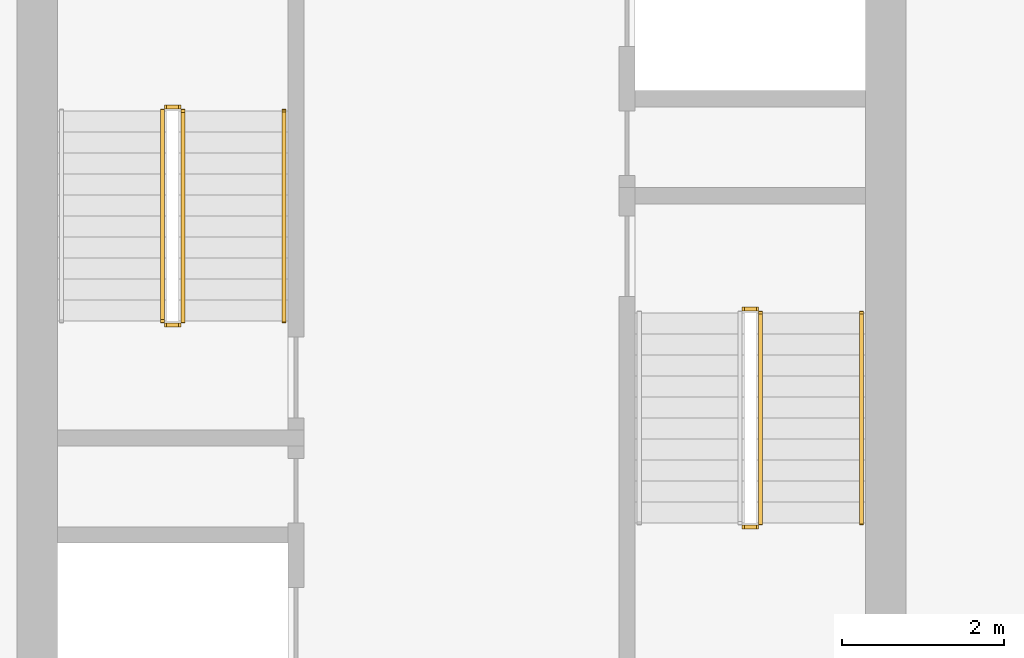
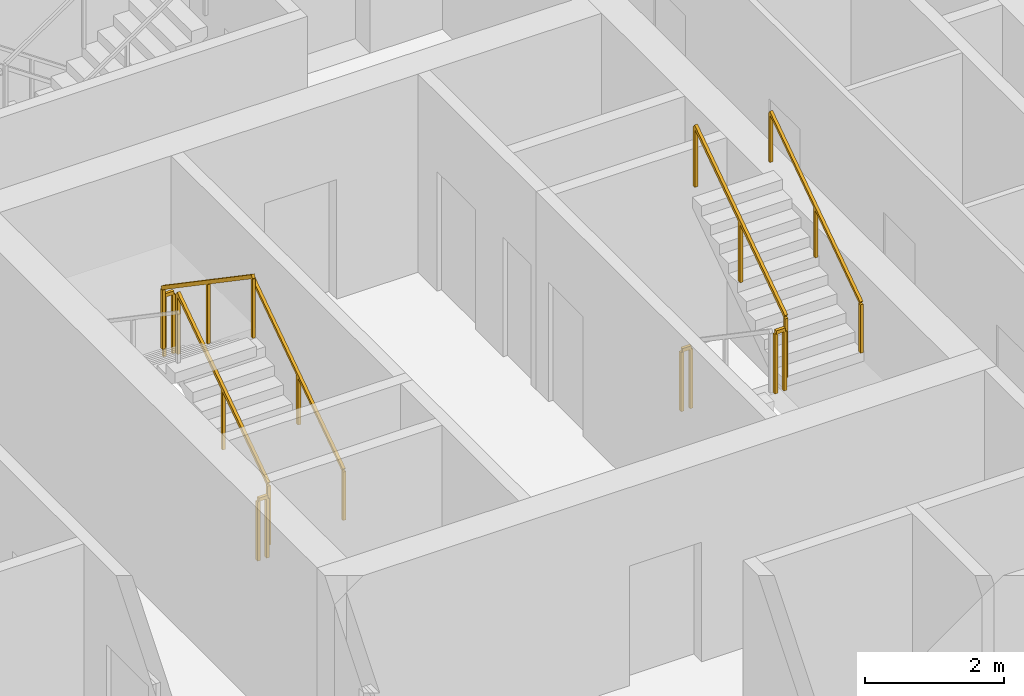
# One storey, part 12 of 15: 9 railings.
"""IFC4 building model written with IfcOpenShell, lengths in metres."""

import ifcopenshell
import ifcopenshell.guid

model = None  # the IFC model being written
_history = None  # IfcOwnerHistory: only IFC2X3 demands one
_inside = {}  # id of a spatial element -> (the spatial element, [elements in it])
_under = {}  # id of a project, library or spatial element -> (it, [spatial elements below it])
_declared = {}  # id of a project -> (the project, [libraries it declares])
_typed = {}  # id of a type object -> (the type object, [elements of that type])
_made_of = {}  # id of a material, layer set ... -> (it, [elements and type objects made of it])


def new_model(schema):
    """Start an empty IFC model of exactly this schema.

    Asked for "IFC4X3", IfcOpenShell would pick the latest addendum, in which some entities
    have other attributes; the version numbers below select the first issue.
    IFC2X3 requires an IfcOwnerHistory on every rooted entity: one is made here for all.
    """
    global model, _history
    if schema == "IFC4X3":
        model = ifcopenshell.file(schema_version=(4, 3, 0, 0))
    else:
        model = ifcopenshell.file(schema=schema)
    _inside.clear()
    _under.clear()
    _declared.clear()
    _typed.clear()
    _made_of.clear()
    _history = None
    if model.schema == "IFC2X3":
        org = make("IfcOrganization", Name="unknown")
        user = make(
            "IfcPersonAndOrganization",
            ThePerson=make("IfcPerson", FamilyName="unknown"),
            TheOrganization=org,
        )
        app = make(
            "IfcApplication",
            ApplicationDeveloper=org,
            Version="unknown",
            ApplicationFullName="unknown",
            ApplicationIdentifier="unknown",
        )
        _history = make(
            "IfcOwnerHistory",
            OwningUser=user,
            OwningApplication=app,
            ChangeAction="ADDED",
            CreationDate=0,
        )
    return model


def make(cls, **values):
    """One entity of the class cls with the attributes given. An attribute that is None is left unset."""
    return model.create_entity(
        cls, **{name: value for name, value in values.items() if value is not None}
    )


def rooted(cls, **values):
    """An entity with a GlobalId (a new one), such as an element, a storey or a relation."""
    return make(cls, GlobalId=ifcopenshell.guid.new(), OwnerHistory=_history, **values)


def si_unit(unit_type, name, prefix=None):
    """IfcSIUnit, for example si_unit("LENGTHUNIT", "METRE", prefix="MILLI")."""
    return make("IfcSIUnit", UnitType=unit_type, Prefix=prefix, Name=name)


def assignment(units):
    """IfcUnitAssignment: the units of a project."""
    return None if units is None else make("IfcUnitAssignment", Units=units)


def point(xyz):
    """IfcCartesianPoint."""
    return None if xyz is None else make("IfcCartesianPoint", Coordinates=xyz)


def direction(xyz):
    """IfcDirection."""
    return None if xyz is None else make("IfcDirection", DirectionRatios=xyz)


def frame(location, z_axis=None, x_axis=None):
    """IfcAxis2Placement3D, a coordinate frame: its origin and axes. An axis left out is left unset."""
    return make(
        "IfcAxis2Placement3D",
        Location=point(location),
        Axis=direction(z_axis),
        RefDirection=direction(x_axis),
    )


def frame_2d(location, x_axis=None):
    """IfcAxis2Placement2D, a coordinate frame in the plane: its origin and x axis."""
    return make(
        "IfcAxis2Placement2D", Location=point(location), RefDirection=direction(x_axis)
    )


def origin():
    """The frame at (0, 0, 0) with its axes left unset."""
    return frame((0.0, 0.0, 0.0))


def origin_2d():
    """The frame at (0, 0) in the plane with its x axis left unset."""
    return frame_2d((0.0, 0.0))


def place(relative_to, where):
    """IfcLocalPlacement: puts the frame where relative to a parent placement (None: the world)."""
    return make(
        "IfcLocalPlacement", PlacementRelTo=relative_to, RelativePlacement=where
    )


def context(
    kind, dimensions, precision=None, world=None, true_north=None, identifier=None
):
    """IfcGeometricRepresentationContext, for example the 3D "Model" context."""
    return make(
        "IfcGeometricRepresentationContext",
        ContextIdentifier=identifier,
        ContextType=kind,
        CoordinateSpaceDimension=dimensions,
        Precision=precision,
        WorldCoordinateSystem=world,
        TrueNorth=true_north,
    )


def subcontext(parent, identifier, kind, view, scale=None):
    """IfcGeometricRepresentationSubContext, for example "Body" below "Model"."""
    return make(
        "IfcGeometricRepresentationSubContext",
        ContextIdentifier=identifier,
        ContextType=kind,
        ParentContext=parent,
        TargetScale=scale,
        TargetView=view,
    )


def project(units=None, contexts=None):
    """IfcProject with its units and contexts."""
    return rooted(
        "IfcProject",
        Name="project",
        RepresentationContexts=contexts,
        UnitsInContext=assignment(units),
    )


def spatial(cls, under=None, at=None, **own):
    """A site, building, storey or space (cls), placed at a placement, below another one or the project."""
    s = rooted(cls, ObjectPlacement=at, **own)
    if under is not None:
        _under.setdefault(under.id(), (under, []))[1].append(s)
    return s


def profile(cls, at=None, kind="AREA", **sizes):
    """A parametric profile (cls). Its sizes go by their IFC names, for example OverallWidth=200.0."""
    return make(cls, ProfileType=kind, Position=at, **sizes)


def rectangle(**sizes):
    """IfcRectangleProfileDef."""
    return profile("IfcRectangleProfileDef", **sizes)


def extrude(swept, where, along, depth):
    """IfcExtrudedAreaSolid: the profile swept, set in the frame where, extruded along a direction by depth."""
    return make(
        "IfcExtrudedAreaSolid",
        SweptArea=swept,
        Position=where,
        ExtrudedDirection=direction(along),
        Depth=depth,
    )


def shape(context_of_items, identifier, shape_type, items):
    """IfcShapeRepresentation: the items that make up one representation, for example the "Body"."""
    return make(
        "IfcShapeRepresentation",
        ContextOfItems=context_of_items,
        RepresentationIdentifier=identifier,
        RepresentationType=shape_type,
        Items=items,
    )


def material(Name=None, Category=None):
    """IfcMaterial."""
    return make("IfcMaterial", Name=Name, Category=Category)


def made_of(thing, what):
    """Note that an element or type object is made of a material, layer set ...; save() writes the relation."""
    if what is not None:
        _made_of.setdefault(what.id(), (what, []))[1].append(thing)
    return thing


def type_object(cls, material=None, **own):
    """A type object (cls), such as IfcWallType, which elements share."""
    return made_of(rooted(cls, **own), material)


def element(
    cls,
    number,
    at=None,
    inside=None,
    cuts=None,
    type_object=None,
    material=None,
    context=None,
    identifier="Body",
    shape_type=None,
    held_by="IfcProductDefinitionShape",
    body=None,
    shapes=None,
    **own,
):
    """One element of the class cls, such as IfcWall. Its Tag is "e" and its number.

    at: its placement. inside: the storey or other place that contains it. cuts: it is an
    opening in that element (IfcRelVoidsElement). A single representation is given by context,
    identifier, shape_type and body (its items); several are given by shapes. held_by: the class
    of the entity that holds the representations. save() writes the other relations.
    """
    e = rooted(cls, Tag="e%d" % number, ObjectPlacement=at, **own)
    if body is not None:
        shapes = [shape(context, identifier, shape_type, body)]
    if shapes is not None:
        e.Representation = make(held_by, Representations=shapes)
    if inside is not None:
        _inside.setdefault(inside.id(), (inside, []))[1].append(e)
    if cuts is not None:
        rooted(
            "IfcRelVoidsElement", RelatingBuildingElement=cuts, RelatedOpeningElement=e
        )
    if type_object is not None:
        _typed.setdefault(type_object.id(), (type_object, []))[1].append(e)
    return made_of(e, material)


def aggregate(whole, parts):
    """IfcRelAggregates: a whole, such as a stair, and the parts it consists of."""
    return rooted("IfcRelAggregates", RelatingObject=whole, RelatedObjects=parts)


def save(model, path):
    """Write the relations noted so far, then the file.

    IfcRelAggregates (storeys below a building ...), IfcRelContainedInSpatialStructure (elements
    in a storey), IfcRelDefinesByType, IfcRelAssociatesMaterial and IfcRelDeclares: one each for
    every whole, place, type object, material and project.
    """
    for whole, parts in _under.values():
        aggregate(whole, parts)
    for where, things in _inside.values():
        rooted(
            "IfcRelContainedInSpatialStructure",
            RelatedElements=things,
            RelatingStructure=where,
        )
    for kind, things in _typed.values():
        rooted("IfcRelDefinesByType", RelatedObjects=things, RelatingType=kind)
    for what, things in _made_of.values():
        rooted("IfcRelAssociatesMaterial", RelatedObjects=things, RelatingMaterial=what)
    for by, libraries in _declared.values():
        rooted("IfcRelDeclares", RelatingContext=by, RelatedDefinitions=libraries)
    model.write(path)


model = new_model("IFC4")

# Units and contexts
model_context = context("Model", 3, precision=1e-05, world=origin(), true_north=direction((0.0, 1.0)))
body_context = subcontext(model_context, "Body", "Model", "MODEL_VIEW")
ifc_project = project(units=[si_unit("LENGTHUNIT", "METRE"), si_unit("AREAUNIT", "SQUARE_METRE"), si_unit("VOLUMEUNIT", "CUBIC_METRE"), si_unit("PLANEANGLEUNIT", "RADIAN"), si_unit("MASSUNIT", "GRAM", prefix="KILO")], contexts=[model_context])

# Site, building, storey
site_placement = place(None, origin())
site = spatial("IfcSite", under=ifc_project, at=site_placement, CompositionType="ELEMENT")
building_placement = place(site_placement, origin())
building = spatial("IfcBuilding", under=site, at=building_placement, Name="Khepri Terraces", CompositionType="ELEMENT")
storey_placement = place(building_placement, frame((0.0, 0.0, 118.199951171875)))
storey = spatial("IfcBuildingStorey", under=building, at=storey_placement, Name="L28", CompositionType="ELEMENT", Elevation=118.199951171875)

# Railings
ifc_material = material(Name="Stainless steel 316", Category="steel")
railing_type_1 = type_object("IfcRailingType", Name="RL-CORE-GUARD", PredefinedType="GUARDRAIL", material=ifc_material)
railing_1_placement = place(storey_placement, frame((-3.449951171875, -0.050048828125, 0.17724609375)))
element("IfcRailing", 1, at=railing_1_placement, inside=storey, type_object=railing_type_1, Name="L28 ST-1 stair guard 1", PredefinedType="GUARDRAIL", context=body_context, shape_type="SweptSolid", body=[
    extrude(rectangle(XDim=0.050048828125, YDim=0.06005859375, at=origin_2d()), frame((0.0, 0.0, 1.070068359375), z_axis=(0.0, 0.826240473404, 0.563317565952), x_axis=(-1.0, 0.0, 0.0)), (0.0, 0.0, 1.0), 3.14697265625),
    extrude(rectangle(XDim=0.050048828125, YDim=0.050048828125, at=origin_2d()), origin(), (0.0, 0.0, 1.0), 1.0400390625),
    extrude(rectangle(XDim=0.050048828125, YDim=0.050048828125, at=origin_2d()), frame((0.0, 1.300048828125, 0.88623046875)), (0.0, 0.0, 1.0), 1.0400390625),
    extrude(rectangle(XDim=0.050048828125, YDim=0.050048828125, at=origin_2d()), frame((0.0, 2.60009765625, 1.772705078125)), (0.0, 0.0, 1.0), 1.0400390625),
])
railing_2_placement = place(storey_placement, frame((-3.5, 2.60009765625, 1.949951171875)))
element("IfcRailing", 2, at=railing_2_placement, inside=storey, type_object=railing_type_1, Name="L28 ST-1 stair guard 2", PredefinedType="GUARDRAIL", context=body_context, shape_type="SweptSolid", body=[
    extrude(rectangle(XDim=0.050048828125, YDim=0.06005859375, at=origin_2d()), frame((0.0, 0.0, 1.070068359375), z_axis=(-1.0, 0.0, 0.0), x_axis=(0.0, -1.0, 0.0)), (0.0, 0.0, 1.0), 0.14990234375),
    extrude(rectangle(XDim=0.050048828125, YDim=0.050048828125, at=origin_2d()), origin(), (0.0, 0.0, 1.0), 1.0400390625),
    extrude(rectangle(XDim=0.050048828125, YDim=0.050048828125, at=origin_2d()), frame((-0.14990234375, 0.0, 0.0)), (0.0, 0.0, 1.0), 1.0400390625),
])
railing_3_placement = place(storey_placement, frame((-3.699951171875, 2.550048828125, 2.12744140625)))
element("IfcRailing", 3, at=railing_3_placement, inside=storey, type_object=railing_type_1, Name="L28 ST-1 stair guard 3", PredefinedType="GUARDRAIL", context=body_context, shape_type="SweptSolid", body=[
    extrude(rectangle(XDim=0.050048828125, YDim=0.06005859375, at=origin_2d()), frame((0.0, 0.0, 1.070068359375), z_axis=(0.0, -0.826240473404, 0.563317565952), x_axis=(1.0, 0.0, 0.0)), (0.0, 0.0, 1.0), 3.14697265625),
    extrude(rectangle(XDim=0.050048828125, YDim=0.050048828125, at=origin_2d()), origin(), (0.0, 0.0, 1.0), 1.0400390625),
    extrude(rectangle(XDim=0.050048828125, YDim=0.050048828125, at=origin_2d()), frame((0.0, -1.300048828125, 0.88623046875)), (0.0, 0.0, 1.0), 1.0400390625),
    extrude(rectangle(XDim=0.050048828125, YDim=0.050048828125, at=origin_2d()), frame((0.0, -2.60009765625, 1.772705078125)), (0.0, 0.0, 1.0), 1.0400390625),
])
railing_4_placement = place(storey_placement, frame((-3.5, -0.10009765625, 0.0)))
element("IfcRailing", 4, at=railing_4_placement, inside=storey, type_object=railing_type_1, Name="L28 ST-1 stair guard 4", PredefinedType="GUARDRAIL", context=body_context, shape_type="SweptSolid", body=[
    extrude(rectangle(XDim=0.050048828125, YDim=0.06005859375, at=origin_2d()), frame((0.0, 0.0, 1.070068359375), z_axis=(-1.0, 0.0, 0.0), x_axis=(0.0, -1.0, 0.0)), (0.0, 0.0, 1.0), 0.14990234375),
    extrude(rectangle(XDim=0.050048828125, YDim=0.050048828125, at=origin_2d()), origin(), (0.0, 0.0, 1.0), 1.0400390625),
    extrude(rectangle(XDim=0.050048828125, YDim=0.050048828125, at=origin_2d()), frame((-0.14990234375, 0.0, 0.0)), (0.0, 0.0, 1.0), 1.0400390625),
])
railing_5_placement = place(storey_placement, frame((3.5, -2.60009765625, 1.949951171875)))
element("IfcRailing", 5, at=railing_5_placement, inside=storey, type_object=railing_type_1, Name="L28 ST-2 stair guard 2", PredefinedType="GUARDRAIL", context=body_context, shape_type="SweptSolid", body=[
    extrude(rectangle(XDim=0.050048828125, YDim=0.06005859375, at=origin_2d()), frame((0.0, 0.0, 1.070068359375), z_axis=(1.0, 0.0, 0.0), x_axis=(0.0, 1.0, 0.0)), (0.0, 0.0, 1.0), 0.14990234375),
    extrude(rectangle(XDim=0.050048828125, YDim=0.050048828125, at=origin_2d()), origin(), (0.0, 0.0, 1.0), 1.0400390625),
    extrude(rectangle(XDim=0.050048828125, YDim=0.050048828125, at=origin_2d()), frame((0.14990234375, 0.0, 0.0)), (0.0, 0.0, 1.0), 1.0400390625),
])
railing_6_placement = place(storey_placement, frame((3.699951171875, -2.550048828125, 2.12744140625)))
element("IfcRailing", 6, at=railing_6_placement, inside=storey, type_object=railing_type_1, Name="L28 ST-2 stair guard 3", PredefinedType="GUARDRAIL", context=body_context, shape_type="SweptSolid", body=[
    extrude(rectangle(XDim=0.050048828125, YDim=0.06005859375, at=origin_2d()), frame((0.0, 0.0, 1.070068359375), z_axis=(0.0, 0.826240473404, 0.563317565952), x_axis=(-1.0, 0.0, 0.0)), (0.0, 0.0, 1.0), 3.14697265625),
    extrude(rectangle(XDim=0.050048828125, YDim=0.050048828125, at=origin_2d()), origin(), (0.0, 0.0, 1.0), 1.0400390625),
    extrude(rectangle(XDim=0.050048828125, YDim=0.050048828125, at=origin_2d()), frame((0.0, 1.300048828125, 0.88623046875)), (0.0, 0.0, 1.0), 1.0400390625),
    extrude(rectangle(XDim=0.050048828125, YDim=0.050048828125, at=origin_2d()), frame((0.0, 2.60009765625, 1.772705078125)), (0.0, 0.0, 1.0), 1.0400390625),
])
railing_7_placement = place(storey_placement, frame((3.5, 0.10009765625, 0.0)))
element("IfcRailing", 7, at=railing_7_placement, inside=storey, type_object=railing_type_1, Name="L28 ST-2 stair guard 4", PredefinedType="GUARDRAIL", context=body_context, shape_type="SweptSolid", body=[
    extrude(rectangle(XDim=0.050048828125, YDim=0.06005859375, at=origin_2d()), frame((0.0, 0.0, 1.070068359375), z_axis=(1.0, 0.0, 0.0), x_axis=(0.0, 1.0, 0.0)), (0.0, 0.0, 1.0), 0.14990234375),
    extrude(rectangle(XDim=0.050048828125, YDim=0.050048828125, at=origin_2d()), origin(), (0.0, 0.0, 1.0), 1.0400390625),
    extrude(rectangle(XDim=0.050048828125, YDim=0.050048828125, at=origin_2d()), frame((0.14990234375, 0.0, 0.0)), (0.0, 0.0, 1.0), 1.0400390625),
])
railing_type_2 = type_object("IfcRailingType", Name="RL-CORE-HANDRAIL", PredefinedType="HANDRAIL", material=ifc_material)
for number, where, name in (
    (8, (-2.199951171875, -0.050048828125, 0.17724609375), "L28 ST-1 stair handrail 1"),
    (9, (4.949951171875, -2.550048828125, 2.12744140625), "L28 ST-2 stair handrail 2"),
):
    element("IfcRailing", number, at=place(storey_placement, frame(where)), inside=storey, type_object=railing_type_2, Name=name, PredefinedType="HANDRAIL", context=body_context, shape_type="SweptSolid", body=[
        extrude(rectangle(XDim=0.050048828125, YDim=0.050048828125, at=origin_2d()), frame((0.0, 0.0, 0.875), z_axis=(0.0, 0.826240473404, 0.563317565952), x_axis=(-1.0, 0.0, 0.0)), (0.0, 0.0, 1.0), 3.14697265625),
        extrude(rectangle(XDim=0.050048828125, YDim=0.050048828125, at=origin_2d()), origin(), (0.0, 0.0, 1.0), 0.849853515625),
        extrude(rectangle(XDim=0.050048828125, YDim=0.050048828125, at=origin_2d()), frame((0.0, 1.300048828125, 0.88623046875)), (0.0, 0.0, 1.0), 0.849853515625),
        extrude(rectangle(XDim=0.050048828125, YDim=0.050048828125, at=origin_2d()), frame((0.0, 2.60009765625, 1.772705078125)), (0.0, 0.0, 1.0), 0.849853515625),
    ])

save(model, "model.ifc")
